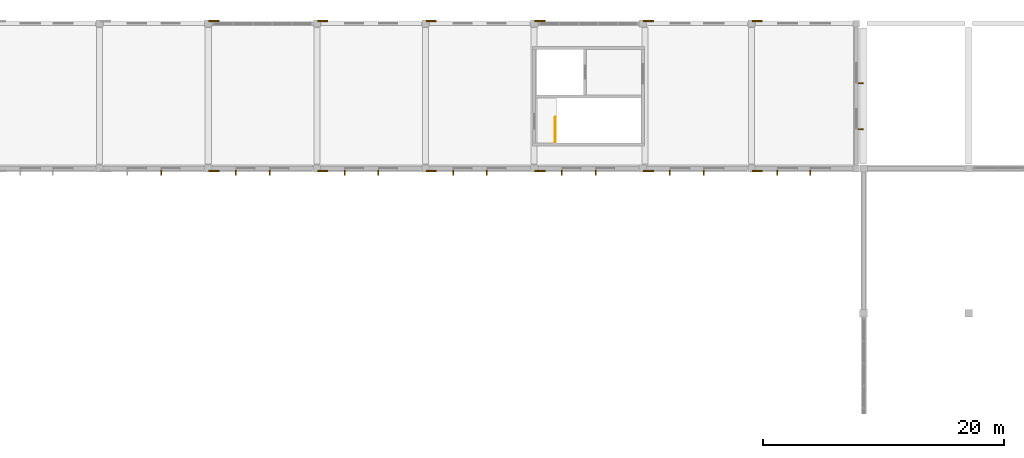
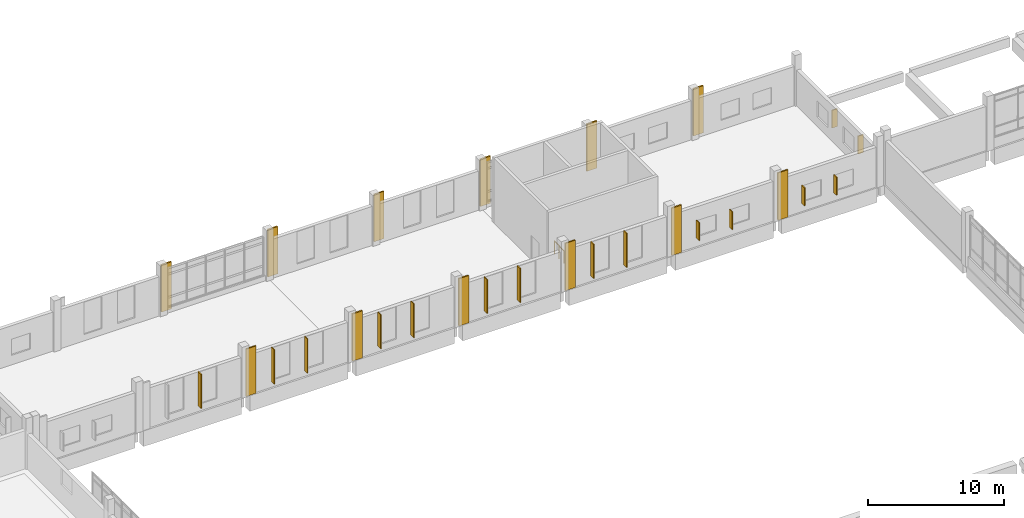
# One storey, part 63 of 63: 15 shading devices, 12 coverings, 1 railing.
"""IFC4 building model written with IfcOpenShell, lengths in metres."""

from ifc_helpers import new_model, si_unit, direction, frame, origin, origin_2d, place, context, subcontext, project, spatial, rectangle, circle, extrude, material, layer, layer_set, type_object, element, save


model = new_model("IFC4")

# Units and contexts
model_context = context("Model", 3, precision=1e-05, world=origin(), true_north=direction((0.0, 1.0)))
body_context = subcontext(model_context, "Body", "Model", "MODEL_VIEW")
ifc_project = project(units=[si_unit("LENGTHUNIT", "METRE"), si_unit("AREAUNIT", "SQUARE_METRE"), si_unit("VOLUMEUNIT", "CUBIC_METRE"), si_unit("PLANEANGLEUNIT", "RADIAN"), si_unit("MASSUNIT", "GRAM", prefix="KILO")], contexts=[model_context])

# Site, building, storey
site_placement = place(None, origin())
site = spatial("IfcSite", under=ifc_project, at=site_placement, CompositionType="ELEMENT")
building_placement = place(site_placement, origin())
building = spatial("IfcBuilding", under=site, at=building_placement, Name="Zacnel Wholesale Market", CompositionType="ELEMENT")
storey_placement = place(building_placement, frame((0.0, 0.0, 11.199951171875)))
storey = spatial("IfcBuildingStorey", under=building, at=storey_placement, Name="L03", CompositionType="ELEMENT", Elevation=11.199951171875)

# Coverings
ifc_material_1 = material(Name="Honed Yucatan Maya cream limestone", Category="masonry")
ifc_layer = layer(ifc_material_1, 0.090087890625)
ifc_layer_set = layer_set([ifc_layer], Name="Honed Yucatan Maya cream limestone")
covering_type = type_object("IfcCoveringType", Name="COV-CLAD-FRET", PredefinedType="CLADDING", material=ifc_layer_set)
for number, where, z_axis, x_axis, name in (
    (1, (90.47998046875, 131.7900390625, 0.02001953125), (0.0, 0.0, 1.0), (1.0, 0.0, 0.0), "Fluted Mayan-Deco limestone pilaster L03-0214"),
    (2, (99.47998046875, 131.7900390625, 0.02001953125), (0.0, 0.0, 1.0), (1.0, 0.0, 0.0), "Fluted Mayan-Deco limestone pilaster L03-0215"),
    (3, (108.47998046875, 131.7900390625, 0.02001953125), (0.0, 0.0, 1.0), (1.0, 0.0, 0.0), "Fluted Mayan-Deco limestone pilaster L03-0216"),
    (4, (117.47998046875, 131.7900390625, 0.02001953125), (0.0, 0.0, 1.0), (1.0, 0.0, 0.0), "Fluted Mayan-Deco limestone pilaster L03-0217"),
    (5, (126.47998046875, 131.7900390625, 0.02001953125), (0.0, 0.0, 1.0), (1.0, 0.0, 0.0), "Fluted Mayan-Deco limestone pilaster L03-0218"),
    (6, (135.47998046875, 131.7900390625, 0.02001953125), (0.0, 0.0, 1.0), (1.0, 0.0, 0.0), "Fluted Mayan-Deco limestone pilaster L03-0219"),
    (7, (90.47998046875, 144.2099609375, 0.02001953125), (0.0, 0.0, 1.0), (1.0, 0.0, 0.0), "Fluted Mayan-Deco limestone pilaster L03-0222"),
    (8, (99.47998046875, 144.2099609375, 0.02001953125), (0.0, 0.0, 1.0), (1.0, 0.0, 0.0), "Fluted Mayan-Deco limestone pilaster L03-0223"),
    (9, (108.47998046875, 144.2099609375, 0.02001953125), (0.0, 0.0, 1.0), (1.0, 0.0, 0.0), "Fluted Mayan-Deco limestone pilaster L03-0224"),
    (10, (117.47998046875, 144.2099609375, 0.02001953125), (0.0, 0.0, 1.0), (1.0, 0.0, 0.0), "Fluted Mayan-Deco limestone pilaster L03-0225"),
    (11, (126.47998046875, 144.2099609375, 0.02001953125), (0.0, 0.0, 1.0), (1.0, 0.0, 0.0), "Fluted Mayan-Deco limestone pilaster L03-0226"),
    (12, (135.47998046875, 144.2099609375, 0.02001953125), (0.0, 0.0, 1.0), (1.0, 0.0, 0.0), "Fluted Mayan-Deco limestone pilaster L03-0227"),
):
    element("IfcCovering", number, at=place(storey_placement, frame(where, z_axis=z_axis, x_axis=x_axis)), inside=storey, type_object=covering_type, Name=name, PredefinedType="CLADDING", context=body_context, shape_type="SweptSolid", body=[
        extrude(rectangle(XDim=0.85009765625, YDim=0.1201171875, at=origin_2d()), origin(), (0.0, 0.0, 1.0), 4.22998046875),
    ])

# Railing
ifc_material_2 = material(Name="Galvanized steel", Category="steel")
railing_type = type_object("IfcRailingType", Name="RAL-STAIR-GD1150", PredefinedType="BALUSTRADE", material=ifc_material_2)
railing_placement = place(storey_placement, frame((118.75, 134.18994140625, 0.0)))
element("IfcRailing", 13, at=railing_placement, inside=storey, type_object=railing_type, Name="Stair balustrade INT-STAIR-ST-28-GDWELL-1", PredefinedType="BALUSTRADE", context=body_context, shape_type="SweptSolid", body=[
    extrude(circle(Radius=0.02392578125, at=origin_2d()), frame((0.0, 0.0, 1.1259765625), z_axis=(0.0, 1.0, 0.0), x_axis=(-1.0, 0.0, 0.0)), (0.0, 0.0, 1.0), 2.06005859375),
    extrude(circle(Radius=0.02099609375, at=origin_2d()), origin(), (0.0, 0.0, 1.0), 1.101806640625),
    extrude(circle(Radius=0.02099609375, at=origin_2d()), frame((0.0, 0.686767578125, 0.0)), (0.0, 0.0, 1.0), 1.101806640625),
    extrude(circle(Radius=0.02099609375, at=origin_2d()), frame((0.0, 1.373291015625, 0.0)), (0.0, 0.0, 1.0), 1.101806640625),
    extrude(circle(Radius=0.02099609375, at=origin_2d()), frame((0.0, 2.06005859375, 0.0)), (0.0, 0.0, 1.0), 1.101806640625),
])

# Shading devices
ifc_material_3 = material(Name="Honed Yucatan Maya cream limestone", Category="masonry")
shading_device_type = type_object("IfcShadingDeviceType", Name="SHD-FIN-V450", PredefinedType="USERDEFINED", material=ifc_material_3)
for number, where, z_axis, x_axis, name in (
    (14, (86.090087890625, 131.639892578125, 0.53515625), (0.0, 0.0, 1.0), (1.0, 0.0, 0.0), "Limestone sunshade fin 0256"),
    (15, (92.2900390625, 131.639892578125, 0.53515625), (0.0, 0.0, 1.0), (1.0, 0.0, 0.0), "Limestone sunshade fin 0257"),
    (16, (95.090087890625, 131.639892578125, 0.53515625), (0.0, 0.0, 1.0), (1.0, 0.0, 0.0), "Limestone sunshade fin 0258"),
    (17, (101.2900390625, 131.639892578125, 0.53515625), (0.0, 0.0, 1.0), (1.0, 0.0, 0.0), "Limestone sunshade fin 0259"),
    (18, (104.090087890625, 131.639892578125, 0.53515625), (0.0, 0.0, 1.0), (1.0, 0.0, 0.0), "Limestone sunshade fin 0260"),
    (19, (110.2900390625, 131.639892578125, 0.53515625), (0.0, 0.0, 1.0), (1.0, 0.0, 0.0), "Limestone sunshade fin 0261"),
    (20, (113.090087890625, 131.639892578125, 0.53515625), (0.0, 0.0, 1.0), (1.0, 0.0, 0.0), "Limestone sunshade fin 0262"),
    (21, (119.2900390625, 131.639892578125, 0.53515625), (0.0, 0.0, 1.0), (1.0, 0.0, 0.0), "Limestone sunshade fin 0263"),
    (22, (122.090087890625, 131.639892578125, 0.53515625), (0.0, 0.0, 1.0), (1.0, 0.0, 0.0), "Limestone sunshade fin 0264"),
):
    element("IfcShadingDevice", number, at=place(storey_placement, frame(where, z_axis=z_axis, x_axis=x_axis)), inside=storey, type_object=shading_device_type, Name=name, ObjectType="SUNSHADE", PredefinedType="USERDEFINED", context=body_context, shape_type="SweptSolid", body=[
        extrude(rectangle(XDim=0.080078125, YDim=0.43994140625, at=origin_2d()), origin(), (0.0, 0.0, 1.0), 3.050048828125),
    ])
for number, where, z_axis, x_axis, name in (
    (23, (128.239990234375, 131.639892578125, 0.77490234375), (0.0, 0.0, 1.0), (1.0, 0.0, 0.0), "Limestone sunshade fin 0265"),
    (24, (131.0400390625, 131.639892578125, 0.77490234375), (0.0, 0.0, 1.0), (1.0, 0.0, 0.0), "Limestone sunshade fin 0266"),
    (25, (137.14794921875, 131.639892578125, 0.77490234375), (0.0, 0.0, 1.0), (1.0, 0.0, 0.0), "Limestone sunshade fin 0267"),
    (26, (139.85693359375, 131.639892578125, 0.77490234375), (0.0, 0.0, 1.0), (1.0, 0.0, 0.0), "Limestone sunshade fin 0268"),
    (27, (144.06005859375, 135.23193359375, 0.77490234375), (0.0, 0.0, 1.0), (0.0, 1.0, 0.0), "Limestone sunshade fin 0271"),
    (28, (144.06005859375, 139.048095703125, 0.77490234375), (0.0, 0.0, 1.0), (0.0, 1.0, 0.0), "Limestone sunshade fin 0272"),
):
    element("IfcShadingDevice", number, at=place(storey_placement, frame(where, z_axis=z_axis, x_axis=x_axis)), inside=storey, type_object=shading_device_type, Name=name, ObjectType="SUNSHADE", PredefinedType="USERDEFINED", context=body_context, shape_type="SweptSolid", body=[
        extrude(rectangle(XDim=0.080078125, YDim=0.43994140625, at=origin_2d()), origin(), (0.0, 0.0, 1.0), 1.60009765625),
    ])

save(model, "model.ifc")
